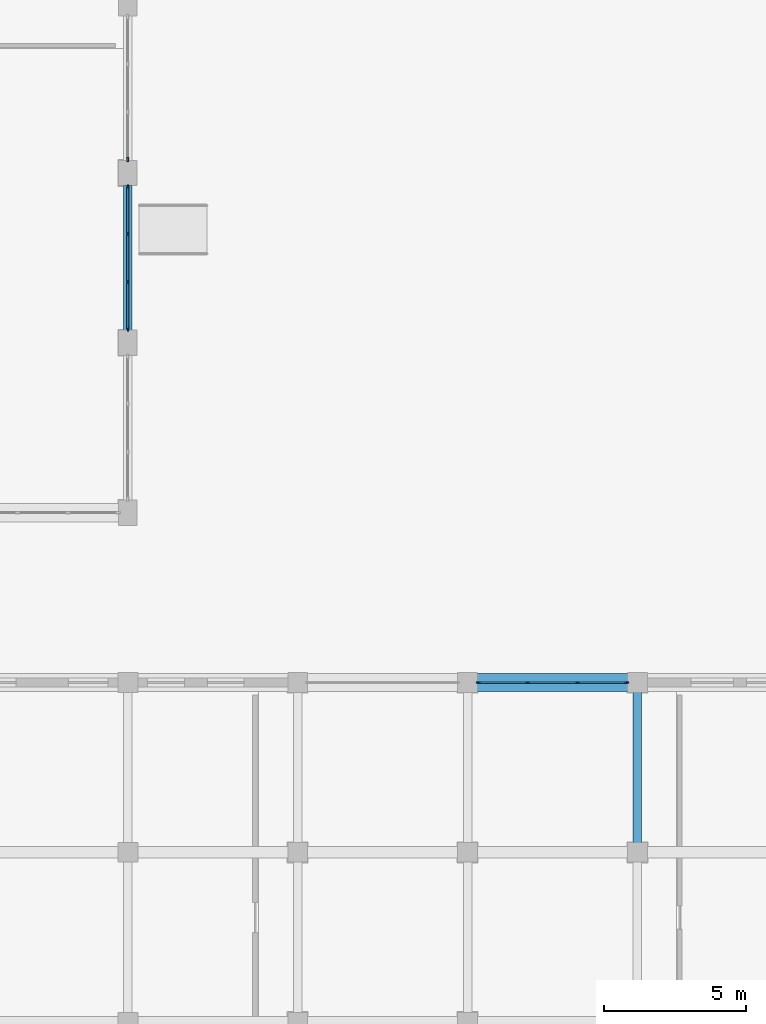
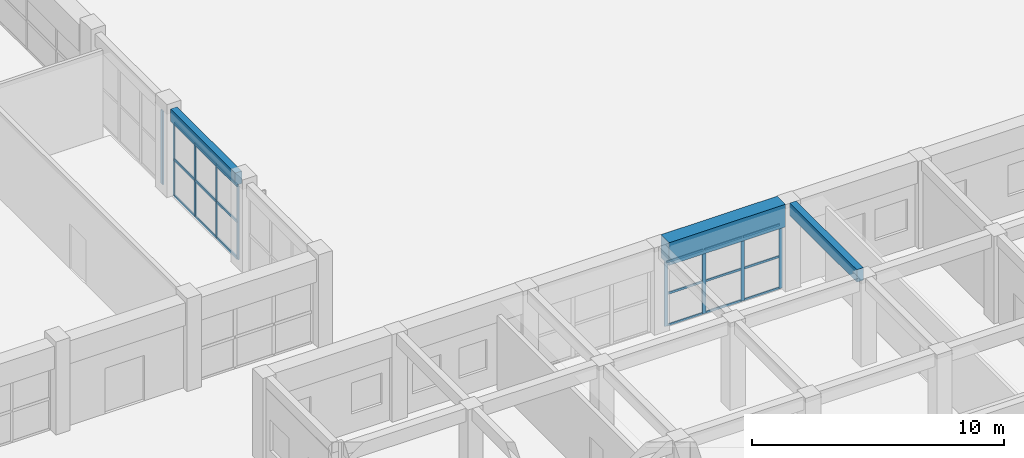
# One storey, part 19 of 76: 27 members, 3 beams, 3 elements without a shape of their own.
"""IFC4 building model written with IfcOpenShell, lengths in metres."""

from ifc_helpers import new_model, si_unit, direction, frame, origin, origin_2d, place, context, subcontext, project, spatial, rectangle, extrude, material, layer, layer_set, material_profile, profile_set, type_object, element, aggregate, save


model = new_model("IFC4")

# Units and contexts
model_context = context("Model", 3, precision=1e-05, world=origin(), true_north=direction((0.0, 1.0)))
body_context = subcontext(model_context, "Body", "Model", "MODEL_VIEW")
ifc_project = project(units=[si_unit("LENGTHUNIT", "METRE"), si_unit("AREAUNIT", "SQUARE_METRE"), si_unit("VOLUMEUNIT", "CUBIC_METRE"), si_unit("PLANEANGLEUNIT", "RADIAN"), si_unit("MASSUNIT", "GRAM", prefix="KILO"), si_unit("POWERUNIT", "WATT"), si_unit("THERMODYNAMICTEMPERATUREUNIT", "KELVIN")], contexts=[model_context])

# Site, building, storey
site_placement = place(None, origin())
site = spatial("IfcSite", under=ifc_project, at=site_placement, CompositionType="ELEMENT")
building_placement = place(site_placement, origin())
building = spatial("IfcBuilding", under=site, at=building_placement, Name="Ruvembo Vaulted Housing Court", CompositionType="ELEMENT")
storey_placement = place(building_placement, origin())
storey = spatial("IfcBuildingStorey", under=building, at=storey_placement, Name="L00", CompositionType="ELEMENT", Elevation=0.0)

# Beams
ifc_material_1 = material(Name="Concrete C35/45", Category="concrete")
ifc_material_profile_1 = material_profile(ifc_material_1, rectangle(XDim=0.300048828125, YDim=0.60009765625, at=origin_2d()), Name="RC 300x600")
ifc_profile_set_1 = profile_set([ifc_material_profile_1], Name="Concrete C35/45")
beam_type_1 = type_object("IfcBeamType", Name="BM-RC-300x600", PredefinedType="BEAM", material=ifc_profile_set_1)
beam_1_placement = place(storey_placement, frame((108.0, 48.43505859375, 3.929931640625), z_axis=(0.0, 1.0, 0.0), x_axis=(-1.0, 0.0, 0.0)))
element("IfcBeam", 1, at=beam_1_placement, inside=storey, type_object=beam_type_1, Name="L00 Grid Beam Y #1046", PredefinedType="BEAM", context=body_context, shape_type="SweptSolid", body=[
    extrude(rectangle(XDim=0.300048828125, YDim=0.60009765625, at=origin_2d()), origin(), (0.0, 0.0, 1.0), 5.1298828125),
])
beam_2_placement = place(storey_placement, frame((126.0, 30.3349609375, 3.929931640625), z_axis=(0.0, 1.0, 0.0), x_axis=(-1.0, 0.0, 0.0)))
element("IfcBeam", 2, at=beam_2_placement, inside=storey, type_object=beam_type_1, Name="L00 Grid Beam Y #1061", PredefinedType="BEAM", context=body_context, shape_type="SweptSolid", body=[
    extrude(rectangle(XDim=0.300048828125, YDim=0.60009765625, at=origin_2d()), origin(), (0.0, 0.0, 1.0), 5.330078125),
])

# Curtain wall, members
ifc_material_2 = material(Name="Anodised Aluminium and Solar-Control Glass", Category="aluminium")
ifc_layer_1 = layer(ifc_material_2, 0.179931640625, Name="Anodised Aluminium and Solar-Control Glass")
ifc_layer_set_1 = layer_set([ifc_layer_1], Name="Anodised Aluminium and Solar-Control Glass")
curtain_wall_type_1 = type_object("IfcCurtainWallType", Name="CW-HALL-TYMP", PredefinedType="NOTDEFINED", material=ifc_layer_set_1)
curtain_wall_1_placement = place(storey_placement, origin())
curtain_wall_1 = element("IfcCurtainWall", 3, at=curtain_wall_1_placement, inside=storey, type_object=curtain_wall_type_1, Name="L00 Curtain Wall CW-L00-0123", PredefinedType="NOTDEFINED")
ifc_material_3 = material(Name="Anodised Aluminium 6063-T6", Category="aluminium")
ifc_material_profile_2 = material_profile(ifc_material_3, rectangle(XDim=0.054931640625, YDim=0.1201171875, at=origin_2d()), Name="ALU 55x120")
ifc_profile_set_2 = profile_set([ifc_material_profile_2], Name="Anodised Aluminium 6063-T6")
member_type_1 = type_object("IfcMemberType", Name="CW-MUL-55x120", PredefinedType="MULLION", material=ifc_profile_set_2)
member_1_placement = place(storey_placement, frame((108.0, 48.4775390625, 0.0), z_axis=(0.0, 0.0, 1.0), x_axis=(-1.0, 0.0, 0.0)))
member_1 = element("IfcMember", 4, at=member_1_placement, type_object=member_type_1, Name="CW2 mullion 1", PredefinedType="MULLION", context=body_context, shape_type="SweptSolid", body=[
    extrude(rectangle(XDim=0.054931640625, YDim=0.1201171875, at=origin_2d()), origin(), (0.0, 0.0, 1.0), 3.56201171875),
])
member_2_placement = place(storey_placement, frame((108.0, 50.14990234375, 0.0), z_axis=(0.0, 0.0, 1.0), x_axis=(-1.0, 0.0, 0.0)))
member_2 = element("IfcMember", 5, at=member_2_placement, type_object=member_type_1, Name="CW2 mullion 2", PredefinedType="MULLION", context=body_context, shape_type="SweptSolid", body=[
    extrude(rectangle(XDim=0.054931640625, YDim=0.1201171875, at=origin_2d()), origin(), (0.0, 0.0, 1.0), 3.56201171875),
])
member_3_placement = place(storey_placement, frame((108.0, 51.85009765625, 0.0), z_axis=(0.0, 0.0, 1.0), x_axis=(-1.0, 0.0, 0.0)))
member_3 = element("IfcMember", 6, at=member_3_placement, type_object=member_type_1, Name="CW2 mullion 3", PredefinedType="MULLION", context=body_context, shape_type="SweptSolid", body=[
    extrude(rectangle(XDim=0.054931640625, YDim=0.1201171875, at=origin_2d()), origin(), (0.0, 0.0, 1.0), 3.56201171875),
])
member_4_placement = place(storey_placement, frame((108.0, 53.5224609375, 0.0), z_axis=(0.0, 0.0, 1.0), x_axis=(-1.0, 0.0, 0.0)))
member_4 = element("IfcMember", 7, at=member_4_placement, type_object=member_type_1, Name="CW2 mullion 4", PredefinedType="MULLION", context=body_context, shape_type="SweptSolid", body=[
    extrude(rectangle(XDim=0.054931640625, YDim=0.1201171875, at=origin_2d()), origin(), (0.0, 0.0, 1.0), 3.56201171875),
])

ifc_layer_2 = layer(ifc_material_2, 0.159912109375, Name="Anodised Aluminium and Solar-Control Glass")
ifc_layer_set_2 = layer_set([ifc_layer_2], Name="Anodised Aluminium and Solar-Control Glass")
curtain_wall_type_2 = type_object("IfcCurtainWallType", Name="CW-LOBBY", PredefinedType="NOTDEFINED", material=ifc_layer_set_2)
curtain_wall_2_placement = place(storey_placement, origin())
curtain_wall_2 = element("IfcCurtainWall", 8, at=curtain_wall_2_placement, inside=storey, type_object=curtain_wall_type_2, Name="L00 Curtain Wall CW-L00-0005", PredefinedType="NOTDEFINED")
ifc_material_profile_3 = material_profile(ifc_material_3, rectangle(XDim=0.06005859375, YDim=0.159912109375, at=origin_2d()), Name="ALU 60x160")
ifc_profile_set_3 = profile_set([ifc_material_profile_3], Name="Anodised Aluminium 6063-T6")
member_type_2 = type_object("IfcMemberType", Name="CW-MULLION-65x150", PredefinedType="MULLION", material=ifc_profile_set_3)
member_5_placement = place(storey_placement, frame((125.6201171875, 36.0, 0.0), z_axis=(0.0, 0.0, 1.0), x_axis=(0.0, -1.0, 0.0)))
member_5 = element("IfcMember", 9, at=member_5_placement, type_object=member_type_2, Name="CW5 mullion 1", PredefinedType="MULLION", context=body_context, shape_type="SweptSolid", body=[
    extrude(rectangle(XDim=0.06005859375, YDim=0.159912109375, at=origin_2d()), origin(), (0.0, 0.0, 1.0), 3.112060546875),
])
member_6_placement = place(storey_placement, frame((123.88330078125, 36.0, 0.0), z_axis=(0.0, 0.0, 1.0), x_axis=(0.0, -1.0, 0.0)))
member_6 = element("IfcMember", 10, at=member_6_placement, type_object=member_type_2, Name="CW5 mullion 2", PredefinedType="MULLION", context=body_context, shape_type="SweptSolid", body=[
    extrude(rectangle(XDim=0.06005859375, YDim=0.159912109375, at=origin_2d()), origin(), (0.0, 0.0, 1.0), 3.112060546875),
])
member_7_placement = place(storey_placement, frame((122.11669921875, 36.0, 0.0), z_axis=(0.0, 0.0, 1.0), x_axis=(0.0, -1.0, 0.0)))
member_7 = element("IfcMember", 11, at=member_7_placement, type_object=member_type_2, Name="CW5 mullion 3", PredefinedType="MULLION", context=body_context, shape_type="SweptSolid", body=[
    extrude(rectangle(XDim=0.06005859375, YDim=0.159912109375, at=origin_2d()), origin(), (0.0, 0.0, 1.0), 3.112060546875),
])
member_8_placement = place(storey_placement, frame((120.3798828125, 36.0, 0.0), z_axis=(0.0, 0.0, 1.0), x_axis=(0.0, -1.0, 0.0)))
member_8 = element("IfcMember", 12, at=member_8_placement, type_object=member_type_2, Name="CW5 mullion 4", PredefinedType="MULLION", context=body_context, shape_type="SweptSolid", body=[
    extrude(rectangle(XDim=0.06005859375, YDim=0.159912109375, at=origin_2d()), origin(), (0.0, 0.0, 1.0), 3.112060546875),
])

# Curtain wall, member
curtain_wall_3_placement = place(storey_placement, origin())
curtain_wall_3 = element("IfcCurtainWall", 13, at=curtain_wall_3_placement, inside=storey, type_object=curtain_wall_type_1, Name="L00 Curtain Wall CW-L00-0125", PredefinedType="NOTDEFINED")
member_9_placement = place(storey_placement, frame((108.0, 54.47998046875, 0.0), z_axis=(0.0, 0.0, 1.0), x_axis=(-1.0, 0.0, 0.0)))
member_9 = element("IfcMember", 14, at=member_9_placement, type_object=member_type_2, Name="CW2 mullion 1", PredefinedType="MULLION", context=body_context, shape_type="SweptSolid", body=[
    extrude(rectangle(XDim=0.06005859375, YDim=0.159912109375, at=origin_2d()), origin(), (0.0, 0.0, 1.0), 3.56201171875),
])
aggregate(curtain_wall_3, [member_9])

# Member
ifc_material_profile_4 = material_profile(ifc_material_3, rectangle(XDim=0.06005859375, YDim=0.1201171875, at=origin_2d()), Name="ALU 60x120")
ifc_profile_set_4 = profile_set([ifc_material_profile_4], Name="Anodised Aluminium 6063-T6")
member_type_3 = type_object("IfcMemberType", Name="CW-TRANSOM-65x120", PredefinedType="USERDEFINED", material=ifc_profile_set_4)
member_10_placement = place(storey_placement, frame((108.0, 48.5048828125, 0.030029296875), z_axis=(0.0, 1.0, 0.0), x_axis=(-1.0, 0.0, 0.0)))
member_10 = element("IfcMember", 15, at=member_10_placement, type_object=member_type_3, Name="CW2 transom 1.1", ObjectType="TRANSOM", PredefinedType="USERDEFINED", context=body_context, shape_type="SweptSolid", body=[
    extrude(rectangle(XDim=0.06005859375, YDim=0.1201171875, at=origin_2d()), origin(), (0.0, 0.0, 1.0), 1.61767578125),
])

member_11_placement = place(storey_placement, frame((108.0, 48.5048828125, 1.781005859375), z_axis=(0.0, 1.0, 0.0), x_axis=(-1.0, 0.0, 0.0)))
member_11 = element("IfcMember", 16, at=member_11_placement, type_object=member_type_3, Name="CW2 transom 1.2", ObjectType="TRANSOM", PredefinedType="USERDEFINED", context=body_context, shape_type="SweptSolid", body=[
    extrude(rectangle(XDim=0.06005859375, YDim=0.1201171875, at=origin_2d()), origin(), (0.0, 0.0, 1.0), 1.61767578125),
])

member_12_placement = place(storey_placement, frame((108.0, 48.5048828125, 3.531982421875), z_axis=(0.0, 1.0, 0.0), x_axis=(-1.0, 0.0, 0.0)))
member_12 = element("IfcMember", 17, at=member_12_placement, type_object=member_type_3, Name="CW2 transom 1.3", ObjectType="TRANSOM", PredefinedType="USERDEFINED", context=body_context, shape_type="SweptSolid", body=[
    extrude(rectangle(XDim=0.06005859375, YDim=0.1201171875, at=origin_2d()), origin(), (0.0, 0.0, 1.0), 1.61767578125),
])

member_13_placement = place(storey_placement, frame((108.0, 50.177490234375, 0.030029296875), z_axis=(0.0, 1.0, 0.0), x_axis=(-1.0, 0.0, 0.0)))
member_13 = element("IfcMember", 18, at=member_13_placement, type_object=member_type_3, Name="CW2 transom 2.1", ObjectType="TRANSOM", PredefinedType="USERDEFINED", context=body_context, shape_type="SweptSolid", body=[
    extrude(rectangle(XDim=0.06005859375, YDim=0.1201171875, at=origin_2d()), origin(), (0.0, 0.0, 1.0), 1.64501953125),
])

member_14_placement = place(storey_placement, frame((108.0, 50.177490234375, 1.781005859375), z_axis=(0.0, 1.0, 0.0), x_axis=(-1.0, 0.0, 0.0)))
member_14 = element("IfcMember", 19, at=member_14_placement, type_object=member_type_3, Name="CW2 transom 2.2", ObjectType="TRANSOM", PredefinedType="USERDEFINED", context=body_context, shape_type="SweptSolid", body=[
    extrude(rectangle(XDim=0.06005859375, YDim=0.1201171875, at=origin_2d()), origin(), (0.0, 0.0, 1.0), 1.64501953125),
])

member_15_placement = place(storey_placement, frame((108.0, 50.177490234375, 3.531982421875), z_axis=(0.0, 1.0, 0.0), x_axis=(-1.0, 0.0, 0.0)))
member_15 = element("IfcMember", 20, at=member_15_placement, type_object=member_type_3, Name="CW2 transom 2.3", ObjectType="TRANSOM", PredefinedType="USERDEFINED", context=body_context, shape_type="SweptSolid", body=[
    extrude(rectangle(XDim=0.06005859375, YDim=0.1201171875, at=origin_2d()), origin(), (0.0, 0.0, 1.0), 1.64501953125),
])

member_16_placement = place(storey_placement, frame((108.0, 51.87744140625, 0.030029296875), z_axis=(0.0, 1.0, 0.0), x_axis=(-1.0, 0.0, 0.0)))
member_16 = element("IfcMember", 21, at=member_16_placement, type_object=member_type_3, Name="CW2 transom 3.1", ObjectType="TRANSOM", PredefinedType="USERDEFINED", context=body_context, shape_type="SweptSolid", body=[
    extrude(rectangle(XDim=0.06005859375, YDim=0.1201171875, at=origin_2d()), origin(), (0.0, 0.0, 1.0), 1.61767578125),
])

member_17_placement = place(storey_placement, frame((108.0, 51.87744140625, 1.781005859375), z_axis=(0.0, 1.0, 0.0), x_axis=(-1.0, 0.0, 0.0)))
member_17 = element("IfcMember", 22, at=member_17_placement, type_object=member_type_3, Name="CW2 transom 3.2", ObjectType="TRANSOM", PredefinedType="USERDEFINED", context=body_context, shape_type="SweptSolid", body=[
    extrude(rectangle(XDim=0.06005859375, YDim=0.1201171875, at=origin_2d()), origin(), (0.0, 0.0, 1.0), 1.61767578125),
])

member_18_placement = place(storey_placement, frame((108.0, 51.87744140625, 3.531982421875), z_axis=(0.0, 1.0, 0.0), x_axis=(-1.0, 0.0, 0.0)))
member_18 = element("IfcMember", 23, at=member_18_placement, type_object=member_type_3, Name="CW2 transom 3.3", ObjectType="TRANSOM", PredefinedType="USERDEFINED", context=body_context, shape_type="SweptSolid", body=[
    extrude(rectangle(XDim=0.06005859375, YDim=0.1201171875, at=origin_2d()), origin(), (0.0, 0.0, 1.0), 1.61767578125),
])

aggregate(curtain_wall_1, [member_1, member_2, member_3, member_4, member_10, member_11, member_12, member_13, member_14, member_15, member_16, member_17, member_18])

ifc_material_profile_5 = material_profile(ifc_material_3, rectangle(XDim=0.06005859375, YDim=0.10009765625, at=origin_2d()), Name="ALU 60x100")
ifc_profile_set_5 = profile_set([ifc_material_profile_5], Name="Anodised Aluminium 6063-T6")
member_type_4 = type_object("IfcMemberType", Name="CW-TRN-60x100", PredefinedType="USERDEFINED", material=ifc_profile_set_5)
member_19_placement = place(storey_placement, frame((125.590087890625, 36.0, 0.030029296875), z_axis=(-1.0, 0.0, 0.0), x_axis=(0.0, -1.0, 0.0)))
member_19 = element("IfcMember", 24, at=member_19_placement, type_object=member_type_4, Name="CW5 transom 1.1", ObjectType="TRANSOM", PredefinedType="USERDEFINED", context=body_context, shape_type="SweptSolid", body=[
    extrude(rectangle(XDim=0.06005859375, YDim=0.10009765625, at=origin_2d()), origin(), (0.0, 0.0, 1.0), 1.6767578125),
])

member_20_placement = place(storey_placement, frame((125.590087890625, 36.0, 1.555908203125), z_axis=(-1.0, 0.0, 0.0), x_axis=(0.0, -1.0, 0.0)))
member_20 = element("IfcMember", 25, at=member_20_placement, type_object=member_type_4, Name="CW5 transom 1.2", ObjectType="TRANSOM", PredefinedType="USERDEFINED", context=body_context, shape_type="SweptSolid", body=[
    extrude(rectangle(XDim=0.06005859375, YDim=0.10009765625, at=origin_2d()), origin(), (0.0, 0.0, 1.0), 1.6767578125),
])

member_21_placement = place(storey_placement, frame((125.590087890625, 36.0, 3.08203125), z_axis=(-1.0, 0.0, 0.0), x_axis=(0.0, -1.0, 0.0)))
member_21 = element("IfcMember", 26, at=member_21_placement, type_object=member_type_4, Name="CW5 transom 1.3", ObjectType="TRANSOM", PredefinedType="USERDEFINED", context=body_context, shape_type="SweptSolid", body=[
    extrude(rectangle(XDim=0.06005859375, YDim=0.10009765625, at=origin_2d()), origin(), (0.0, 0.0, 1.0), 1.6767578125),
])

member_22_placement = place(storey_placement, frame((123.853271484375, 36.0, 0.030029296875), z_axis=(-1.0, 0.0, 0.0), x_axis=(0.0, -1.0, 0.0)))
member_22 = element("IfcMember", 27, at=member_22_placement, type_object=member_type_4, Name="CW5 transom 2.1", ObjectType="TRANSOM", PredefinedType="USERDEFINED", context=body_context, shape_type="SweptSolid", body=[
    extrude(rectangle(XDim=0.06005859375, YDim=0.10009765625, at=origin_2d()), origin(), (0.0, 0.0, 1.0), 1.70654296875),
])

member_23_placement = place(storey_placement, frame((123.853271484375, 36.0, 1.555908203125), z_axis=(-1.0, 0.0, 0.0), x_axis=(0.0, -1.0, 0.0)))
member_23 = element("IfcMember", 28, at=member_23_placement, type_object=member_type_4, Name="CW5 transom 2.2", ObjectType="TRANSOM", PredefinedType="USERDEFINED", context=body_context, shape_type="SweptSolid", body=[
    extrude(rectangle(XDim=0.06005859375, YDim=0.10009765625, at=origin_2d()), origin(), (0.0, 0.0, 1.0), 1.70654296875),
])

member_24_placement = place(storey_placement, frame((123.853271484375, 36.0, 3.08203125), z_axis=(-1.0, 0.0, 0.0), x_axis=(0.0, -1.0, 0.0)))
member_24 = element("IfcMember", 29, at=member_24_placement, type_object=member_type_4, Name="CW5 transom 2.3", ObjectType="TRANSOM", PredefinedType="USERDEFINED", context=body_context, shape_type="SweptSolid", body=[
    extrude(rectangle(XDim=0.06005859375, YDim=0.10009765625, at=origin_2d()), origin(), (0.0, 0.0, 1.0), 1.70654296875),
])

member_25_placement = place(storey_placement, frame((122.086669921875, 36.0, 0.030029296875), z_axis=(-1.0, 0.0, 0.0), x_axis=(0.0, -1.0, 0.0)))
member_25 = element("IfcMember", 30, at=member_25_placement, type_object=member_type_4, Name="CW5 transom 3.1", ObjectType="TRANSOM", PredefinedType="USERDEFINED", context=body_context, shape_type="SweptSolid", body=[
    extrude(rectangle(XDim=0.06005859375, YDim=0.10009765625, at=origin_2d()), origin(), (0.0, 0.0, 1.0), 1.6767578125),
])

member_26_placement = place(storey_placement, frame((122.086669921875, 36.0, 1.555908203125), z_axis=(-1.0, 0.0, 0.0), x_axis=(0.0, -1.0, 0.0)))
member_26 = element("IfcMember", 31, at=member_26_placement, type_object=member_type_4, Name="CW5 transom 3.2", ObjectType="TRANSOM", PredefinedType="USERDEFINED", context=body_context, shape_type="SweptSolid", body=[
    extrude(rectangle(XDim=0.06005859375, YDim=0.10009765625, at=origin_2d()), origin(), (0.0, 0.0, 1.0), 1.6767578125),
])

member_27_placement = place(storey_placement, frame((122.086669921875, 36.0, 3.08203125), z_axis=(-1.0, 0.0, 0.0), x_axis=(0.0, -1.0, 0.0)))
member_27 = element("IfcMember", 32, at=member_27_placement, type_object=member_type_4, Name="CW5 transom 3.3", ObjectType="TRANSOM", PredefinedType="USERDEFINED", context=body_context, shape_type="SweptSolid", body=[
    extrude(rectangle(XDim=0.06005859375, YDim=0.10009765625, at=origin_2d()), origin(), (0.0, 0.0, 1.0), 1.6767578125),
])

aggregate(curtain_wall_2, [member_5, member_6, member_7, member_8, member_19, member_20, member_21, member_22, member_23, member_24, member_25, member_26, member_27])

# Beam
ifc_material_4 = material(Name="Concrete C40/50", Category="concrete")
ifc_material_profile_6 = material_profile(ifc_material_4, rectangle(XDim=0.64990234375, YDim=1.10009765625, at=origin_2d()), Name="RC 650x1100")
ifc_profile_set_6 = profile_set([ifc_material_profile_6], Name="Concrete C40/50")
beam_type_2 = type_object("IfcBeamType", Name="TB-RC-650x1100", PredefinedType="BEAM", material=ifc_profile_set_6)
beam_3_placement = place(storey_placement, frame((120.3349609375, 36.0, 3.679931640625), z_axis=(1.0, 0.0, 0.0), x_axis=(0.0, 1.0, 0.0)))
element("IfcBeam", 33, at=beam_3_placement, inside=storey, type_object=beam_type_2, Name="L00 Grid Beam X #820", PredefinedType="BEAM", context=body_context, shape_type="SweptSolid", body=[
    extrude(rectangle(XDim=0.64990234375, YDim=1.10009765625, at=origin_2d()), origin(), (0.0, 0.0, 1.0), 5.330078125),
])

save(model, "model.ifc")
